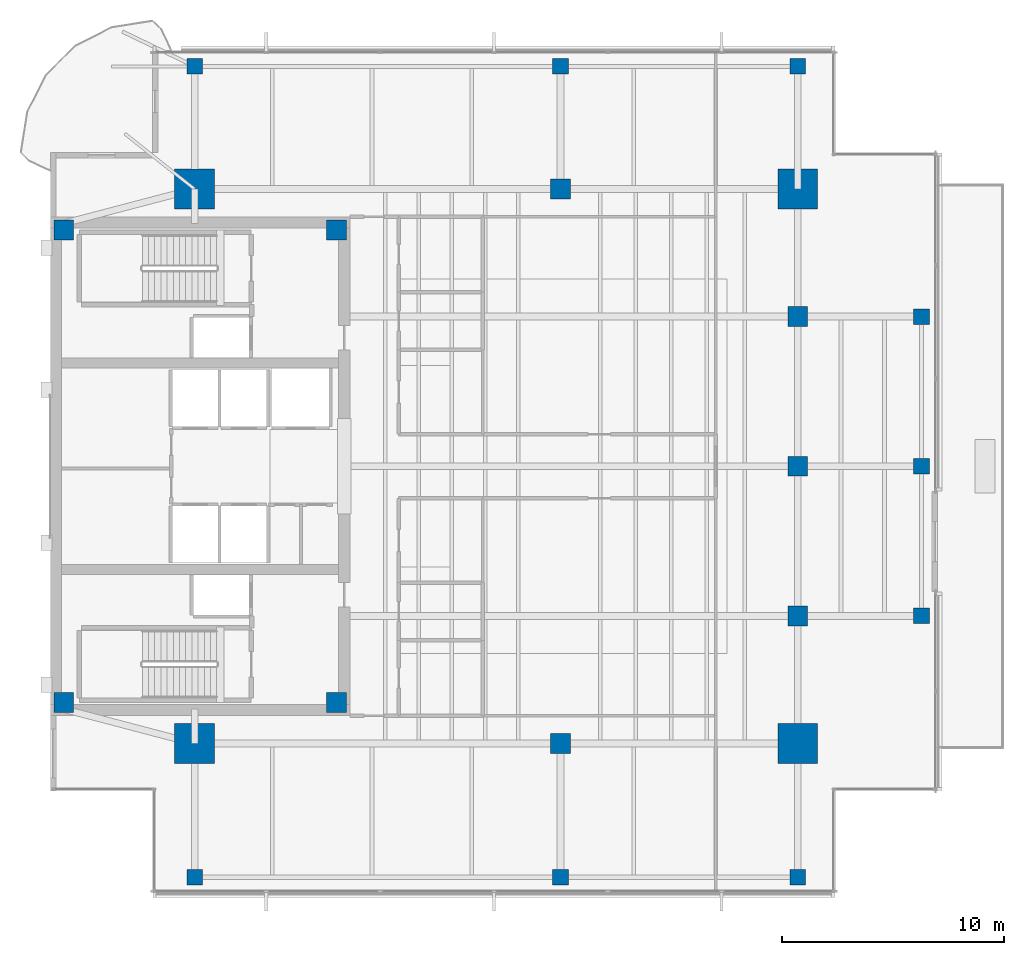
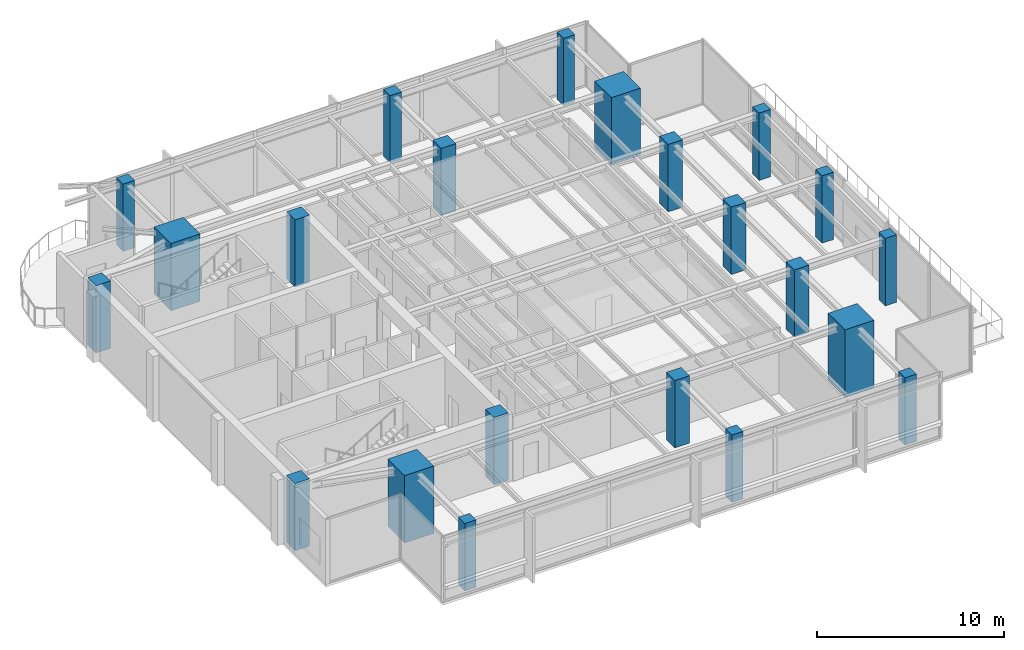
# One storey, part 1 of 14: 22 columns.
"""IFC4 building model written with IfcOpenShell, lengths in metres."""

from ifc_helpers import new_model, si_unit, direction, frame, origin, origin_2d, place, context, subcontext, project, spatial, rectangle, extrude, material, material_profile, profile_set, type_object, element, save


model = new_model("IFC4")

# Units and contexts
model_context = context("Model", 3, precision=1e-05, world=origin(), true_north=direction((0.0, 1.0)))
body_context = subcontext(model_context, "Body", "Model", "MODEL_VIEW")
ifc_project = project(units=[si_unit("LENGTHUNIT", "METRE"), si_unit("AREAUNIT", "SQUARE_METRE"), si_unit("VOLUMEUNIT", "CUBIC_METRE"), si_unit("PLANEANGLEUNIT", "RADIAN"), si_unit("MASSUNIT", "GRAM", prefix="KILO")], contexts=[model_context])

# Site, building, storey
site_placement = place(None, origin())
site = spatial("IfcSite", under=ifc_project, at=site_placement, CompositionType="ELEMENT")
building_placement = place(site_placement, origin())
building = spatial("IfcBuilding", under=site, at=building_placement, Name="Kinhvarn Gate Tower", CompositionType="ELEMENT")
storey_placement = place(building_placement, frame((0.0, 0.0, 244.85009765625)))
storey = spatial("IfcBuildingStorey", under=building, at=storey_placement, Name="L65", CompositionType="ELEMENT", Elevation=244.85009765625)

# Columns
ifc_material_1 = material(Name="Concrete C60/75", Category="concrete")
ifc_material_profile_1 = material_profile(ifc_material_1, rectangle(XDim=1.800048828125, YDim=1.800048828125, at=origin_2d()), Name="RC 1800x1800")
ifc_profile_set_1 = profile_set([ifc_material_profile_1], Name="Concrete C60/75")
column_type_1 = type_object("IfcColumnType", Name="COL-MC-1800", PredefinedType="COLUMN", material=ifc_profile_set_1)
for number, where, z_axis, x_axis, name in (
    (1, (11.0, 12.75, 0.0), (0.0, 0.0, 1.0), (1.0, 0.0, 0.0), "Column MC1-L65 (MC-18)"),
    (2, (11.0, 37.75, 0.0), (0.0, 0.0, 1.0), (1.0, 0.0, 0.0), "Column MC4-L65 (MC-18)"),
    (3, (38.199951171875, 12.75, 0.0), (0.0, 0.0, 1.0), (1.0, 0.0, 0.0), "Column MC2-L65 (MC-18)"),
    (4, (38.199951171875, 37.75, 0.0), (0.0, 0.0, 1.0), (1.0, 0.0, 0.0), "Column MC3-L65 (MC-18)"),
):
    element("IfcColumn", number, at=place(storey_placement, frame(where, z_axis=z_axis, x_axis=x_axis)), inside=storey, type_object=column_type_1, Name=name, PredefinedType="COLUMN", context=body_context, shape_type="SweptSolid", body=[
        extrude(rectangle(XDim=1.800048828125, YDim=1.800048828125, at=origin_2d()), origin(), (0.0, 0.0, 1.0), 4.39990234375),
    ])
ifc_material_2 = material(Name="Concrete C50/60", Category="concrete")
ifc_material_profile_2 = material_profile(ifc_material_2, rectangle(XDim=0.699951171875, YDim=0.699951171875, at=origin_2d()), Name="RC 700x700")
ifc_profile_set_2 = profile_set([ifc_material_profile_2], Name="Concrete C50/60")
column_type_2 = type_object("IfcColumnType", Name="COL-RC-700", PredefinedType="COLUMN", material=ifc_profile_set_2)
for number, where, z_axis, x_axis, name in (
    (5, (43.780029296875, 18.5, 0.0), (0.0, 0.0, 1.0), (1.0, 0.0, 0.0), "Column CE-1-L65 (C-070)"),
    (6, (43.780029296875, 25.25, 0.0), (0.0, 0.0, 1.0), (1.0, 0.0, 0.0), "Column CE-2-L65 (C-070)"),
    (7, (43.780029296875, 32.0, 0.0), (0.0, 0.0, 1.0), (1.0, 0.0, 0.0), "Column CE-3-L65 (C-070)"),
    (8, (11.0, 6.719970703125, 0.0), (0.0, 0.0, 1.0), (1.0, 0.0, 0.0), "Column CS-0-L65 (C-070)"),
    (9, (27.5, 6.719970703125, 0.0), (0.0, 0.0, 1.0), (1.0, 0.0, 0.0), "Column CS-1-L65 (C-070)"),
    (10, (38.199951171875, 6.719970703125, 0.0), (0.0, 0.0, 1.0), (1.0, 0.0, 0.0), "Column CS-2-L65 (C-070)"),
    (11, (11.0, 43.280029296875, 0.0), (0.0, 0.0, 1.0), (1.0, 0.0, 0.0), "Column CN-0-L65 (C-070)"),
    (12, (27.5, 43.280029296875, 0.0), (0.0, 0.0, 1.0), (1.0, 0.0, 0.0), "Column CN-1-L65 (C-070)"),
    (13, (38.199951171875, 43.280029296875, 0.0), (0.0, 0.0, 1.0), (1.0, 0.0, 0.0), "Column CN-2-L65 (C-070)"),
):
    element("IfcColumn", number, at=place(storey_placement, frame(where, z_axis=z_axis, x_axis=x_axis)), inside=storey, type_object=column_type_2, Name=name, PredefinedType="COLUMN", context=body_context, shape_type="SweptSolid", body=[
        extrude(rectangle(XDim=0.699951171875, YDim=0.699951171875, at=origin_2d()), origin(), (0.0, 0.0, 1.0), 4.39990234375),
    ])
ifc_material_profile_3 = material_profile(ifc_material_1, rectangle(XDim=0.89990234375, YDim=0.89990234375, at=origin_2d()), Name="RC 900x900")
ifc_profile_set_3 = profile_set([ifc_material_profile_3], Name="Concrete C60/75")
column_type_3 = type_object("IfcColumnType", Name="COL-RC-900", PredefinedType="COLUMN", material=ifc_profile_set_3)
for number, where, z_axis, x_axis, name in (
    (14, (27.5, 12.75, 0.0), (0.0, 0.0, 1.0), (1.0, 0.0, 0.0), "Column SP27-S-L65 (C-090)"),
    (15, (27.5, 37.75, 0.0), (0.0, 0.0, 1.0), (1.0, 0.0, 0.0), "Column SP27-N-L65 (C-090)"),
    (16, (38.199951171875, 18.5, 0.0), (0.0, 0.0, 1.0), (1.0, 0.0, 0.0), "Column SP38-E1-L65 (C-090)"),
    (17, (38.199951171875, 25.25, 0.0), (0.0, 0.0, 1.0), (1.0, 0.0, 0.0), "Column SP38-E2-L65 (C-090)"),
    (18, (38.199951171875, 32.0, 0.0), (0.0, 0.0, 1.0), (1.0, 0.0, 0.0), "Column SP38-E3-L65 (C-090)"),
):
    element("IfcColumn", number, at=place(storey_placement, frame(where, z_axis=z_axis, x_axis=x_axis)), inside=storey, type_object=column_type_3, Name=name, PredefinedType="COLUMN", context=body_context, shape_type="SweptSolid", body=[
        extrude(rectangle(XDim=0.89990234375, YDim=0.89990234375, at=origin_2d()), origin(), (0.0, 0.0, 1.0), 4.39990234375),
    ])
ifc_material_profile_4 = material_profile(ifc_material_2, rectangle(XDim=0.89990234375, YDim=0.89990234375, at=origin_2d()), Name="RC 900x900")
ifc_profile_set_4 = profile_set([ifc_material_profile_4], Name="Concrete C50/60")
column_type_4 = type_object("IfcColumnType", Name="PIL-RC-900", PredefinedType="PILASTER", material=ifc_profile_set_4)
for number, where, z_axis, x_axis, name in (
    (19, (5.10009765625, 14.60009765625, 0.0), (0.0, 0.0, 1.0), (1.0, 0.0, 0.0), "Column CC-SW-L65 (CP-090)"),
    (20, (5.10009765625, 35.89990234375, 0.0), (0.0, 0.0, 1.0), (1.0, 0.0, 0.0), "Column CC-NW-L65 (CP-090)"),
    (21, (17.39990234375, 14.60009765625, 0.0), (0.0, 0.0, 1.0), (1.0, 0.0, 0.0), "Column CC-SE-L65 (CP-090)"),
    (22, (17.39990234375, 35.89990234375, 0.0), (0.0, 0.0, 1.0), (1.0, 0.0, 0.0), "Column CC-NE-L65 (CP-090)"),
):
    element("IfcColumn", number, at=place(storey_placement, frame(where, z_axis=z_axis, x_axis=x_axis)), inside=storey, type_object=column_type_4, Name=name, PredefinedType="PILASTER", context=body_context, shape_type="SweptSolid", body=[
        extrude(rectangle(XDim=0.89990234375, YDim=0.89990234375, at=origin_2d()), origin(), (0.0, 0.0, 1.0), 4.39990234375),
    ])

save(model, "model.ifc")
